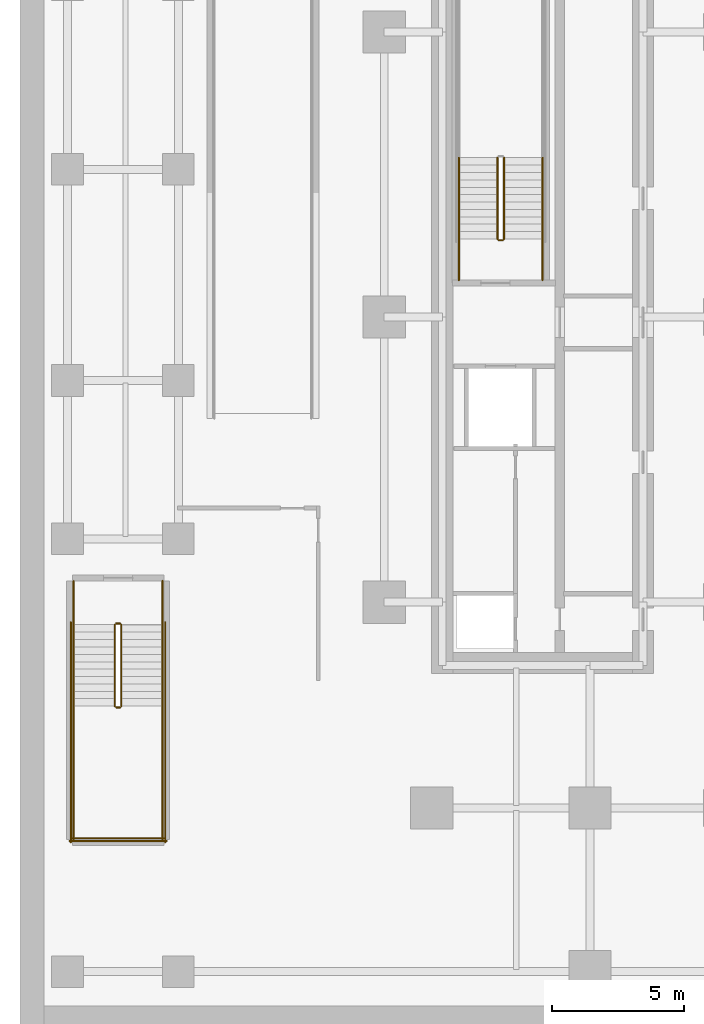
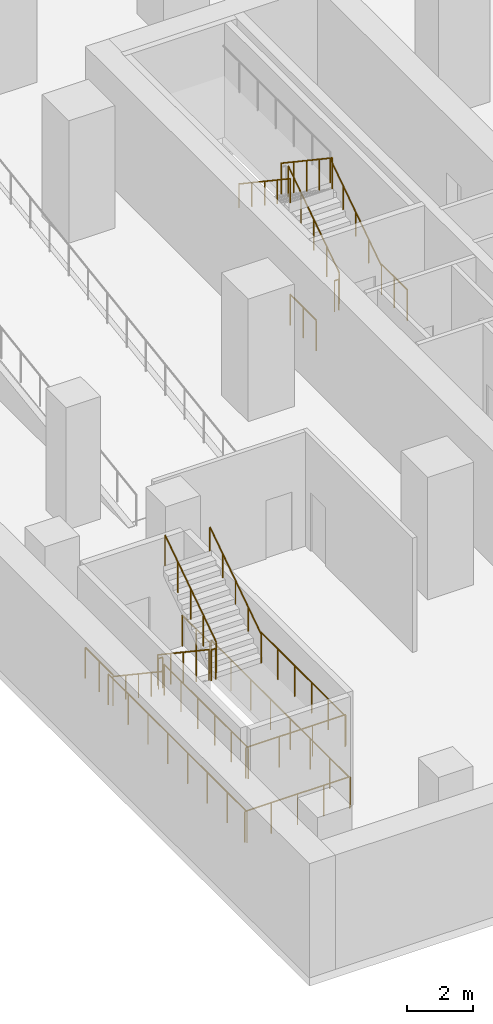
# One storey, part 10 of 14: 21 railings.
"""IFC4 building model written with IfcOpenShell, lengths in metres."""

from ifc_helpers import new_model, si_unit, direction, frame, origin, origin_2d, place, context, subcontext, project, spatial, circle, extrude, material, type_object, element, save


model = new_model("IFC4")

# Units and contexts
model_context = context("Model", 3, precision=1e-05, world=origin(), true_north=direction((0.0, 1.0)))
body_context = subcontext(model_context, "Body", "Model", "MODEL_VIEW")
ifc_project = project(units=[si_unit("LENGTHUNIT", "METRE"), si_unit("AREAUNIT", "SQUARE_METRE"), si_unit("VOLUMEUNIT", "CUBIC_METRE"), si_unit("PLANEANGLEUNIT", "RADIAN"), si_unit("MASSUNIT", "GRAM", prefix="KILO")], contexts=[model_context])

# Site, building, storey
site_placement = place(None, origin())
site = spatial("IfcSite", under=ifc_project, at=site_placement, CompositionType="ELEMENT")
building_placement = place(site_placement, origin())
building = spatial("IfcBuilding", under=site, at=building_placement, Name="Khairoan Windgate Tower", CompositionType="ELEMENT")
storey_placement = place(building_placement, frame((0.0, 0.0, -4.5)))
storey = spatial("IfcBuildingStorey", under=building, at=storey_placement, Name="B1", CompositionType="ELEMENT", Elevation=-4.5)

# Railings
ifc_material_1 = material(Name="Anodised Bronze Aluminium 6063-T6", Category="aluminium")
railing_type_1 = type_object("IfcRailingType", Name="Stair Wall Handrail SHR-900", PredefinedType="HANDRAIL", material=ifc_material_1)
railing_1_placement = place(storey_placement, frame((-16.199951171875, 2.9599609375, 0.1875)))
element("IfcRailing", 1, at=railing_1_placement, inside=storey, type_object=railing_type_1, Name="B1 ST2 stair handrail 1", PredefinedType="HANDRAIL", context=body_context, shape_type="SweptSolid", body=[
    extrude(circle(Radius=0.02392578125, at=origin_2d()), frame((0.0, 0.0, 0.8759765625), z_axis=(0.0, 0.830913701846, 0.55640131208), x_axis=(-1.0, 0.0, 0.0)), (0.0, 0.0, 1.0), 3.706787109375),
    extrude(circle(Radius=0.02099609375, at=origin_2d()), origin(), (0.0, 0.0, 1.0), 0.851806640625),
    extrude(circle(Radius=0.02099609375, at=origin_2d()), frame((0.0, 0.77001953125, 0.515625)), (0.0, 0.0, 1.0), 0.851806640625),
    extrude(circle(Radius=0.02099609375, at=origin_2d()), frame((0.0, 1.5400390625, 1.03125)), (0.0, 0.0, 1.0), 0.851806640625),
    extrude(circle(Radius=0.02099609375, at=origin_2d()), frame((0.0, 2.31005859375, 1.546875)), (0.0, 0.0, 1.0), 0.851806640625),
    extrude(circle(Radius=0.02099609375, at=origin_2d()), frame((0.0, 3.080078125, 2.0625)), (0.0, 0.0, 1.0), 0.851806640625),
])
for number, where, name in (
    (2, (-19.3701171875, 6.0400390625, 2.4375), "B1 ST2 stair handrail 2"),
    (3, (-33.969970703125, -11.659912109375, 0.1875), "B1 ST4 stair handrail 1"),
):
    element("IfcRailing", number, at=place(storey_placement, frame(where)), inside=storey, type_object=railing_type_1, Name=name, PredefinedType="HANDRAIL", context=body_context, shape_type="SweptSolid", body=[
        extrude(circle(Radius=0.02392578125, at=origin_2d()), frame((0.0, 0.0, 0.8759765625), z_axis=(0.0, -0.830913701846, 0.55640131208), x_axis=(1.0, 0.0, 0.0)), (0.0, 0.0, 1.0), 3.706787109375),
        extrude(circle(Radius=0.02099609375, at=origin_2d()), origin(), (0.0, 0.0, 1.0), 0.851806640625),
        extrude(circle(Radius=0.02099609375, at=origin_2d()), frame((0.0, -0.77001953125, 0.515625)), (0.0, 0.0, 1.0), 0.851806640625),
        extrude(circle(Radius=0.02099609375, at=origin_2d()), frame((0.0, -1.5400390625, 1.03125)), (0.0, 0.0, 1.0), 0.851806640625),
        extrude(circle(Radius=0.02099609375, at=origin_2d()), frame((0.0, -2.31005859375, 1.546875)), (0.0, 0.0, 1.0), 0.851806640625),
        extrude(circle(Radius=0.02099609375, at=origin_2d()), frame((0.0, -3.080078125, 2.0625)), (0.0, 0.0, 1.0), 0.851806640625),
    ])
railing_2_placement = place(storey_placement, frame((-30.60009765625, -14.739990234375, 2.4375)))
element("IfcRailing", 4, at=railing_2_placement, inside=storey, type_object=railing_type_1, Name="B1 ST4 stair handrail 2", PredefinedType="HANDRAIL", context=body_context, shape_type="SweptSolid", body=[
    extrude(circle(Radius=0.02392578125, at=origin_2d()), frame((0.0, 0.0, 0.8759765625), z_axis=(0.0, 0.830913701846, 0.55640131208), x_axis=(-1.0, 0.0, 0.0)), (0.0, 0.0, 1.0), 3.706787109375),
    extrude(circle(Radius=0.02099609375, at=origin_2d()), origin(), (0.0, 0.0, 1.0), 0.851806640625),
    extrude(circle(Radius=0.02099609375, at=origin_2d()), frame((0.0, 0.77001953125, 0.515625)), (0.0, 0.0, 1.0), 0.851806640625),
    extrude(circle(Radius=0.02099609375, at=origin_2d()), frame((0.0, 1.5400390625, 1.03125)), (0.0, 0.0, 1.0), 0.851806640625),
    extrude(circle(Radius=0.02099609375, at=origin_2d()), frame((0.0, 2.31005859375, 1.546875)), (0.0, 0.0, 1.0), 0.851806640625),
    extrude(circle(Radius=0.02099609375, at=origin_2d()), frame((0.0, 3.080078125, 2.0625)), (0.0, 0.0, 1.0), 0.851806640625),
])
ifc_material_2 = material(Name="Steel S355", Category="steel")
railing_type_2 = type_object("IfcRailingType", Name="Stairwell Safety Guardrail SGR-1150", PredefinedType="GUARDRAIL", material=ifc_material_2)
railing_3_placement = place(storey_placement, frame((-17.659912109375, 2.9599609375, 0.1875)))
element("IfcRailing", 5, at=railing_3_placement, inside=storey, type_object=railing_type_2, Name="B1 ST2 stair guard 1", PredefinedType="GUARDRAIL", context=body_context, shape_type="SweptSolid", body=[
    extrude(circle(Radius=0.02392578125, at=origin_2d()), frame((0.0, 0.0, 1.1259765625), z_axis=(0.0, 0.830913701846, 0.55640131208), x_axis=(-1.0, 0.0, 0.0)), (0.0, 0.0, 1.0), 3.706787109375),
    extrude(circle(Radius=0.02099609375, at=origin_2d()), origin(), (0.0, 0.0, 1.0), 1.101806640625),
    extrude(circle(Radius=0.02099609375, at=origin_2d()), frame((0.0, 0.77001953125, 0.515625)), (0.0, 0.0, 1.0), 1.101806640625),
    extrude(circle(Radius=0.02099609375, at=origin_2d()), frame((0.0, 1.5400390625, 1.03125)), (0.0, 0.0, 1.0), 1.101806640625),
    extrude(circle(Radius=0.02099609375, at=origin_2d()), frame((0.0, 2.31005859375, 1.546875)), (0.0, 0.0, 1.0), 1.101806640625),
    extrude(circle(Radius=0.02099609375, at=origin_2d()), frame((0.0, 3.080078125, 2.0625)), (0.0, 0.0, 1.0), 1.101806640625),
])
railing_4_placement = place(storey_placement, frame((-17.909912109375, 6.0400390625, 2.4375)))
element("IfcRailing", 6, at=railing_4_placement, inside=storey, type_object=railing_type_2, Name="B1 ST2 stair guard 6", PredefinedType="GUARDRAIL", context=body_context, shape_type="SweptSolid", body=[
    extrude(circle(Radius=0.02392578125, at=origin_2d()), frame((0.0, 0.0, 1.1259765625), z_axis=(0.0, -0.830913701846, 0.55640131208), x_axis=(1.0, 0.0, 0.0)), (0.0, 0.0, 1.0), 3.706787109375),
    extrude(circle(Radius=0.02099609375, at=origin_2d()), origin(), (0.0, 0.0, 1.0), 1.101806640625),
    extrude(circle(Radius=0.02099609375, at=origin_2d()), frame((0.0, -0.77001953125, 0.515625)), (0.0, 0.0, 1.0), 1.101806640625),
    extrude(circle(Radius=0.02099609375, at=origin_2d()), frame((0.0, -1.5400390625, 1.03125)), (0.0, 0.0, 1.0), 1.101806640625),
    extrude(circle(Radius=0.02099609375, at=origin_2d()), frame((0.0, -2.31005859375, 1.546875)), (0.0, 0.0, 1.0), 1.101806640625),
    extrude(circle(Radius=0.02099609375, at=origin_2d()), frame((0.0, -3.080078125, 2.0625)), (0.0, 0.0, 1.0), 1.101806640625),
])
railing_5_placement = place(storey_placement, frame((-17.7099609375, 2.909912109375, 0.0)))
element("IfcRailing", 7, at=railing_5_placement, inside=storey, type_object=railing_type_2, Name="B1 ST2 stair guard 7", PredefinedType="GUARDRAIL", context=body_context, shape_type="SweptSolid", body=[
    extrude(circle(Radius=0.02392578125, at=origin_2d()), frame((0.0, 0.0, 1.1259765625), z_axis=(-1.0, 0.0, 0.0), x_axis=(0.0, -1.0, 0.0)), (0.0, 0.0, 1.0), 0.150146484375),
    extrude(circle(Radius=0.02099609375, at=origin_2d()), origin(), (0.0, 0.0, 1.0), 1.101806640625),
    extrude(circle(Radius=0.02099609375, at=origin_2d()), frame((-0.150146484375, 0.0, 0.0)), (0.0, 0.0, 1.0), 1.101806640625),
])
for number, where, name in (
    (8, (-16.199951171875, 1.39990234375, 0.0), "B1 ST2 stair guard 8"),
    (9, (-19.3701171875, 1.39990234375, 0.0), "B1 ST2 stair guard 9"),
):
    element("IfcRailing", number, at=place(storey_placement, frame(where)), inside=storey, type_object=railing_type_2, Name=name, PredefinedType="GUARDRAIL", context=body_context, shape_type="SweptSolid", body=[
        extrude(circle(Radius=0.02392578125, at=origin_2d()), frame((0.0, 0.0, 1.1259765625), z_axis=(0.0, 1.0, 0.0), x_axis=(-1.0, 0.0, 0.0)), (0.0, 0.0, 1.0), 1.56005859375),
        extrude(circle(Radius=0.02099609375, at=origin_2d()), origin(), (0.0, 0.0, 1.0), 1.101806640625),
        extrude(circle(Radius=0.02099609375, at=origin_2d()), frame((0.0, 0.780029296875, 0.0)), (0.0, 0.0, 1.0), 1.101806640625),
        extrude(circle(Radius=0.02099609375, at=origin_2d()), frame((0.0, 1.56005859375, 0.0)), (0.0, 0.0, 1.0), 1.101806640625),
    ])
railing_6_placement = place(storey_placement, frame((-32.409912109375, -11.659912109375, 0.1875)))
element("IfcRailing", 10, at=railing_6_placement, inside=storey, type_object=railing_type_2, Name="B1 ST4 stair guard 1", PredefinedType="GUARDRAIL", context=body_context, shape_type="SweptSolid", body=[
    extrude(circle(Radius=0.02392578125, at=origin_2d()), frame((0.0, 0.0, 1.1259765625), z_axis=(0.0, -0.830913701846, 0.55640131208), x_axis=(1.0, 0.0, 0.0)), (0.0, 0.0, 1.0), 3.706787109375),
    extrude(circle(Radius=0.02099609375, at=origin_2d()), origin(), (0.0, 0.0, 1.0), 1.101806640625),
    extrude(circle(Radius=0.02099609375, at=origin_2d()), frame((0.0, -0.77001953125, 0.515625)), (0.0, 0.0, 1.0), 1.101806640625),
    extrude(circle(Radius=0.02099609375, at=origin_2d()), frame((0.0, -1.5400390625, 1.03125)), (0.0, 0.0, 1.0), 1.101806640625),
    extrude(circle(Radius=0.02099609375, at=origin_2d()), frame((0.0, -2.31005859375, 1.546875)), (0.0, 0.0, 1.0), 1.101806640625),
    extrude(circle(Radius=0.02099609375, at=origin_2d()), frame((0.0, -3.080078125, 2.0625)), (0.0, 0.0, 1.0), 1.101806640625),
])
railing_7_placement = place(storey_placement, frame((-32.360107421875, -14.7900390625, 2.25)))
element("IfcRailing", 11, at=railing_7_placement, inside=storey, type_object=railing_type_2, Name="B1 ST4 stair guard 2", PredefinedType="GUARDRAIL", context=body_context, shape_type="SweptSolid", body=[
    extrude(circle(Radius=0.02392578125, at=origin_2d()), frame((0.0, 0.0, 1.1259765625), z_axis=(1.0, 0.0, 0.0), x_axis=(0.0, 1.0, 0.0)), (0.0, 0.0, 1.0), 0.150146484375),
    extrude(circle(Radius=0.02099609375, at=origin_2d()), origin(), (0.0, 0.0, 1.0), 1.101806640625),
    extrude(circle(Radius=0.02099609375, at=origin_2d()), frame((0.150146484375, 0.0, 0.0)), (0.0, 0.0, 1.0), 1.101806640625),
])
for number, where, name in (
    (12, (-33.969970703125, -14.739990234375, 2.25), "B1 ST4 stair guard 3"),
    (13, (-30.60009765625, -14.739990234375, 2.25), "B1 ST4 stair guard 4"),
):
    element("IfcRailing", number, at=place(storey_placement, frame(where)), inside=storey, type_object=railing_type_2, Name=name, PredefinedType="GUARDRAIL", context=body_context, shape_type="SweptSolid", body=[
        extrude(circle(Radius=0.02392578125, at=origin_2d()), frame((0.0, 0.0, 1.1259765625), z_axis=(0.0, -1.0, 0.0), x_axis=(1.0, 0.0, 0.0)), (0.0, 0.0, 1.0), 5.06005859375),
        extrude(circle(Radius=0.02099609375, at=origin_2d()), origin(), (0.0, 0.0, 1.0), 1.101806640625),
        extrude(circle(Radius=0.02099609375, at=origin_2d()), frame((0.0, -1.011962890625, 0.0)), (0.0, 0.0, 1.0), 1.101806640625),
        extrude(circle(Radius=0.02099609375, at=origin_2d()), frame((0.0, -2.02392578125, 0.0)), (0.0, 0.0, 1.0), 1.101806640625),
        extrude(circle(Radius=0.02099609375, at=origin_2d()), frame((0.0, -3.0361328125, 0.0)), (0.0, 0.0, 1.0), 1.101806640625),
        extrude(circle(Radius=0.02099609375, at=origin_2d()), frame((0.0, -4.048095703125, 0.0)), (0.0, 0.0, 1.0), 1.101806640625),
        extrude(circle(Radius=0.02099609375, at=origin_2d()), frame((0.0, -5.06005859375, 0.0)), (0.0, 0.0, 1.0), 1.101806640625),
    ])
railing_8_placement = place(storey_placement, frame((-34.02001953125, -19.75, 2.25)))
element("IfcRailing", 14, at=railing_8_placement, inside=storey, type_object=railing_type_2, Name="B1 ST4 stair guard 5", PredefinedType="GUARDRAIL", context=body_context, shape_type="SweptSolid", body=[
    extrude(circle(Radius=0.02392578125, at=origin_2d()), frame((0.0, 0.0, 1.1259765625), z_axis=(1.0, 0.0, 0.0), x_axis=(0.0, 1.0, 0.0)), (0.0, 0.0, 1.0), 3.469970703125),
    extrude(circle(Radius=0.02099609375, at=origin_2d()), origin(), (0.0, 0.0, 1.0), 1.101806640625),
    extrude(circle(Radius=0.02099609375, at=origin_2d()), frame((1.15673828125, 0.0, 0.0)), (0.0, 0.0, 1.0), 1.101806640625),
    extrude(circle(Radius=0.02099609375, at=origin_2d()), frame((2.313232421875, 0.0, 0.0)), (0.0, 0.0, 1.0), 1.101806640625),
    extrude(circle(Radius=0.02099609375, at=origin_2d()), frame((3.469970703125, 0.0, 0.0)), (0.0, 0.0, 1.0), 1.101806640625),
])
railing_9_placement = place(storey_placement, frame((-32.159912109375, -14.739990234375, 2.4375)))
element("IfcRailing", 15, at=railing_9_placement, inside=storey, type_object=railing_type_2, Name="B1 ST4 stair guard 6", PredefinedType="GUARDRAIL", context=body_context, shape_type="SweptSolid", body=[
    extrude(circle(Radius=0.02392578125, at=origin_2d()), frame((0.0, 0.0, 1.1259765625), z_axis=(0.0, 0.830913701846, 0.55640131208), x_axis=(-1.0, 0.0, 0.0)), (0.0, 0.0, 1.0), 3.706787109375),
    extrude(circle(Radius=0.02099609375, at=origin_2d()), origin(), (0.0, 0.0, 1.0), 1.101806640625),
    extrude(circle(Radius=0.02099609375, at=origin_2d()), frame((0.0, 0.77001953125, 0.515625)), (0.0, 0.0, 1.0), 1.101806640625),
    extrude(circle(Radius=0.02099609375, at=origin_2d()), frame((0.0, 1.5400390625, 1.03125)), (0.0, 0.0, 1.0), 1.101806640625),
    extrude(circle(Radius=0.02099609375, at=origin_2d()), frame((0.0, 2.31005859375, 1.546875)), (0.0, 0.0, 1.0), 1.101806640625),
    extrude(circle(Radius=0.02099609375, at=origin_2d()), frame((0.0, 3.080078125, 2.0625)), (0.0, 0.0, 1.0), 1.101806640625),
])
railing_10_placement = place(storey_placement, frame((-32.360107421875, -11.610107421875, 0.0)))
element("IfcRailing", 16, at=railing_10_placement, inside=storey, type_object=railing_type_2, Name="B1 ST4 stair guard 7", PredefinedType="GUARDRAIL", context=body_context, shape_type="SweptSolid", body=[
    extrude(circle(Radius=0.02392578125, at=origin_2d()), frame((0.0, 0.0, 1.1259765625), z_axis=(1.0, 0.0, 0.0), x_axis=(0.0, 1.0, 0.0)), (0.0, 0.0, 1.0), 0.150146484375),
    extrude(circle(Radius=0.02099609375, at=origin_2d()), origin(), (0.0, 0.0, 1.0), 1.101806640625),
    extrude(circle(Radius=0.02099609375, at=origin_2d()), frame((0.150146484375, 0.0, 0.0)), (0.0, 0.0, 1.0), 1.101806640625),
])
for number, where, name in (
    (17, (-33.969970703125, -10.0, 0.0), "B1 ST4 stair guard 8"),
    (18, (-30.60009765625, -10.0, 0.0), "B1 ST4 stair guard 9"),
):
    element("IfcRailing", number, at=place(storey_placement, frame(where)), inside=storey, type_object=railing_type_2, Name=name, PredefinedType="GUARDRAIL", context=body_context, shape_type="SweptSolid", body=[
        extrude(circle(Radius=0.02392578125, at=origin_2d()), frame((0.0, 0.0, 1.1259765625), z_axis=(0.0, -1.0, 0.0), x_axis=(1.0, 0.0, 0.0)), (0.0, 0.0, 1.0), 1.659912109375),
        extrude(circle(Radius=0.02099609375, at=origin_2d()), origin(), (0.0, 0.0, 1.0), 1.101806640625),
        extrude(circle(Radius=0.02099609375, at=origin_2d()), frame((0.0, -0.830078125, 0.0)), (0.0, 0.0, 1.0), 1.101806640625),
        extrude(circle(Radius=0.02099609375, at=origin_2d()), frame((0.0, -1.659912109375, 0.0)), (0.0, 0.0, 1.0), 1.101806640625),
    ])
for number, where, name in (
    (19, (-34.070068359375, -11.56005859375, 0.0), "B1 ST4 stair guard 10"),
    (20, (-30.5, -11.56005859375, 0.0), "B1 ST4 stair guard 11"),
):
    element("IfcRailing", number, at=place(storey_placement, frame(where)), inside=storey, type_object=railing_type_2, Name=name, PredefinedType="GUARDRAIL", context=body_context, shape_type="SweptSolid", body=[
        extrude(circle(Radius=0.02392578125, at=origin_2d()), frame((0.0, 0.0, 1.1259765625), z_axis=(0.0, -1.0, 0.0), x_axis=(1.0, 0.0, 0.0)), (0.0, 0.0, 1.0), 8.33984375),
        extrude(circle(Radius=0.02099609375, at=origin_2d()), origin(), (0.0, 0.0, 1.0), 1.101806640625),
        extrude(circle(Radius=0.02099609375, at=origin_2d()), frame((0.0, -1.19140625, 0.0)), (0.0, 0.0, 1.0), 1.101806640625),
        extrude(circle(Radius=0.02099609375, at=origin_2d()), frame((0.0, -2.3828125, 0.0)), (0.0, 0.0, 1.0), 1.101806640625),
        extrude(circle(Radius=0.02099609375, at=origin_2d()), frame((0.0, -3.57421875, 0.0)), (0.0, 0.0, 1.0), 1.101806640625),
        extrude(circle(Radius=0.02099609375, at=origin_2d()), frame((0.0, -4.765625, 0.0)), (0.0, 0.0, 1.0), 1.101806640625),
        extrude(circle(Radius=0.02099609375, at=origin_2d()), frame((0.0, -5.95703125, 0.0)), (0.0, 0.0, 1.0), 1.101806640625),
        extrude(circle(Radius=0.02099609375, at=origin_2d()), frame((0.0, -7.1484375, 0.0)), (0.0, 0.0, 1.0), 1.101806640625),
        extrude(circle(Radius=0.02099609375, at=origin_2d()), frame((0.0, -8.33984375, 0.0)), (0.0, 0.0, 1.0), 1.101806640625),
    ])
railing_11_placement = place(storey_placement, frame((-34.1201171875, -19.85009765625, 0.0)))
element("IfcRailing", 21, at=railing_11_placement, inside=storey, type_object=railing_type_2, Name="B1 ST4 stair guard 12", PredefinedType="GUARDRAIL", context=body_context, shape_type="SweptSolid", body=[
    extrude(circle(Radius=0.02392578125, at=origin_2d()), frame((0.0, 0.0, 1.1259765625), z_axis=(1.0, 0.0, 0.0), x_axis=(0.0, 1.0, 0.0)), (0.0, 0.0, 1.0), 3.670166015625),
    extrude(circle(Radius=0.02099609375, at=origin_2d()), origin(), (0.0, 0.0, 1.0), 1.101806640625),
    extrude(circle(Radius=0.02099609375, at=origin_2d()), frame((0.91748046875, 0.0, 0.0)), (0.0, 0.0, 1.0), 1.101806640625),
    extrude(circle(Radius=0.02099609375, at=origin_2d()), frame((1.8349609375, 0.0, 0.0)), (0.0, 0.0, 1.0), 1.101806640625),
    extrude(circle(Radius=0.02099609375, at=origin_2d()), frame((2.752685546875, 0.0, 0.0)), (0.0, 0.0, 1.0), 1.101806640625),
    extrude(circle(Radius=0.02099609375, at=origin_2d()), frame((3.670166015625, 0.0, 0.0)), (0.0, 0.0, 1.0), 1.101806640625),
])

save(model, "model.ifc")
